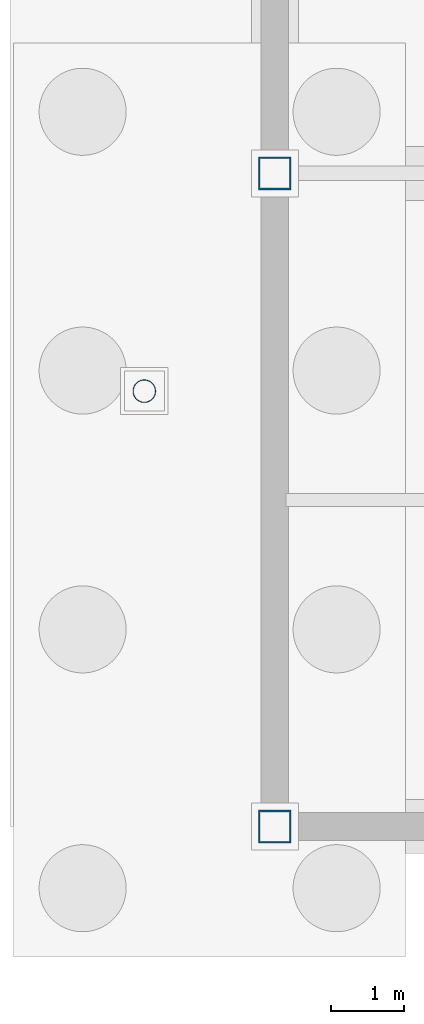
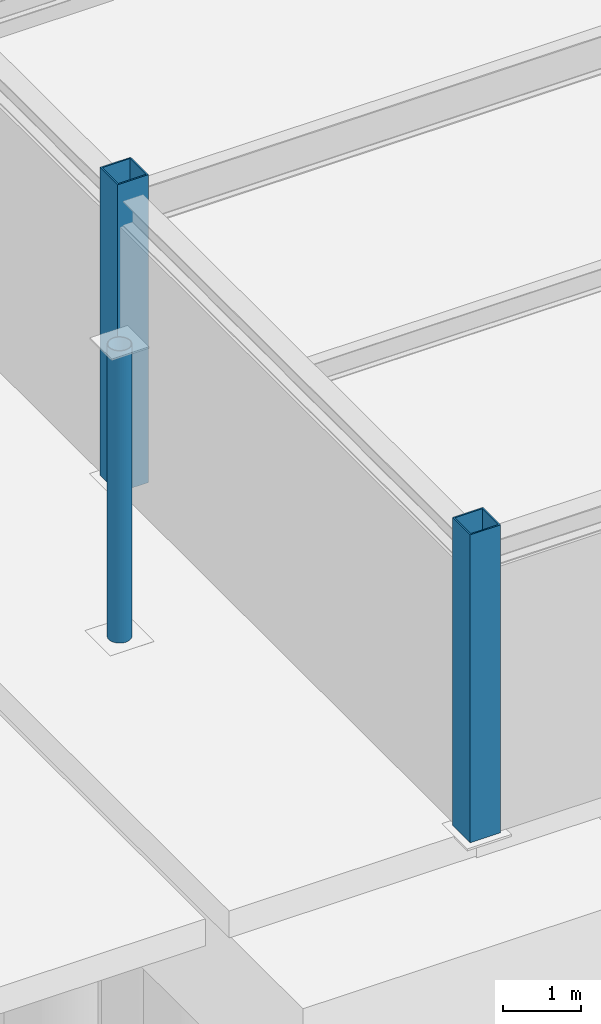
# One storey, part 18 of 74: 3 columns.
"""IFC4 building model written with IfcOpenShell, lengths in metres."""

from ifc_helpers import new_model, si_unit, direction, frame, origin, origin_2d, place, context, subcontext, project, spatial, hollow_rectangle, hollow_circle, extrude, material, material_profile, profile_set, type_object, element, save


model = new_model("IFC4")

# Units and contexts
model_context = context("Model", 3, precision=1e-05, world=origin(), true_north=direction((0.0, 1.0)))
body_context = subcontext(model_context, "Body", "Model", "MODEL_VIEW")
ifc_project = project(units=[si_unit("LENGTHUNIT", "METRE"), si_unit("AREAUNIT", "SQUARE_METRE"), si_unit("VOLUMEUNIT", "CUBIC_METRE"), si_unit("PLANEANGLEUNIT", "RADIAN"), si_unit("MASSUNIT", "GRAM", prefix="KILO")], contexts=[model_context])

# Site, building, storey
site_placement = place(None, origin())
site = spatial("IfcSite", under=ifc_project, at=site_placement, CompositionType="ELEMENT")
building_placement = place(site_placement, origin())
building = spatial("IfcBuilding", under=site, at=building_placement, Name="Suzunagisa Mobility Hub", CompositionType="ELEMENT")
storey_placement = place(building_placement, frame((0.0, 0.0, -4.800048828125)))
storey = spatial("IfcBuildingStorey", under=building, at=storey_placement, Name="B1", CompositionType="ELEMENT", Elevation=-4.800048828125)

# Columns
ifc_material = material(Name="Steel SN490B", Category="steel")
ifc_material_profile_1 = material_profile(ifc_material, hollow_circle(Radius=0.1591796875, WallThickness=0.01025390625, at=origin_2d()), Name="CHS-318.5x10.3")
ifc_profile_set_1 = profile_set([ifc_material_profile_1], Name="Steel SN490B")
column_type_1 = type_object("IfcColumnType", Name="Steel Column CL-09 CHS-318.5x10.3", PredefinedType="COLUMN", material=ifc_profile_set_1)
column_placement = place(storey_placement, frame((124.199951171875, 6.0, 0.0), z_axis=(0.0, 0.0, 1.0), x_axis=(1.0, 0.0, 0.0)))
element("IfcColumn", 1, at=column_placement, inside=storey, type_object=column_type_1, Name="B1 Column 224", PredefinedType="COLUMN", context=body_context, shape_type="SweptSolid", body=[
    extrude(hollow_circle(Radius=0.1591796875, WallThickness=0.01025390625, at=origin_2d()), origin(), (0.0, 0.0, 1.0), 4.554931640625),
])
ifc_material_profile_2 = material_profile(ifc_material, hollow_rectangle(XDim=0.449951171875, YDim=0.449951171875, WallThickness=0.02197265625, at=origin_2d()), Name="BCR-450x450x22")
ifc_profile_set_2 = profile_set([ifc_material_profile_2], Name="Steel SN490B")
column_type_2 = type_object("IfcColumnType", Name="Steel Column CL-17 BCR-450x450x22", PredefinedType="COLUMN", material=ifc_profile_set_2)
for number, where, z_axis, x_axis, name in (
    (2, (126.0, 0.0, 0.0), (0.0, 0.0, 1.0), (1.0, 0.0, 0.0), "B1 Column 228"),
    (3, (126.0, 9.0, 0.0), (0.0, 0.0, 1.0), (1.0, 0.0, 0.0), "B1 Column 229"),
):
    element("IfcColumn", number, at=place(storey_placement, frame(where, z_axis=z_axis, x_axis=x_axis)), inside=storey, type_object=column_type_2, Name=name, PredefinedType="COLUMN", context=body_context, shape_type="SweptSolid", body=[
        extrude(hollow_rectangle(XDim=0.449951171875, YDim=0.449951171875, WallThickness=0.02197265625, at=origin_2d()), origin(), (0.0, 0.0, 1.0), 4.800048828125),
    ])

save(model, "model.ifc")
